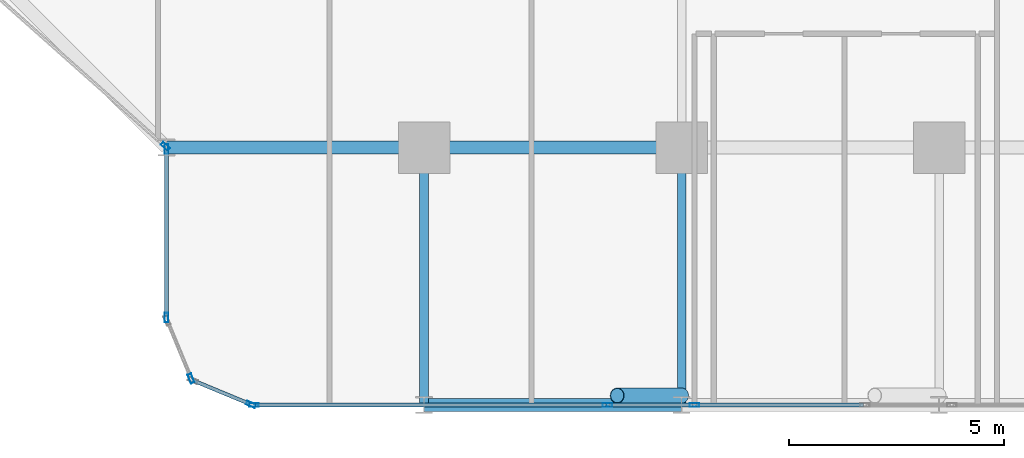
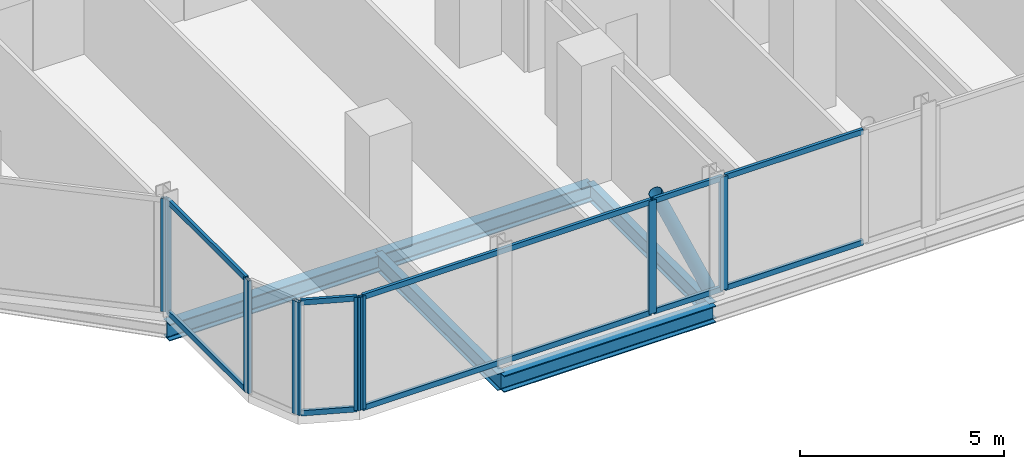
# One storey, part 4 of 33: 19 members, 5 beams, 7 elements without a shape of their own.
"""IFC4 building model written with IfcOpenShell, lengths in metres."""

from ifc_helpers import new_model, si_unit, direction, frame, origin, origin_2d, place, context, subcontext, project, spatial, hollow_rectangle, hollow_circle, i_section, extrude, material, layer, layer_set, material_profile, profile_set, type_object, element, aggregate, save


model = new_model("IFC4")

# Units and contexts
model_context = context("Model", 3, precision=1e-05, world=origin(), true_north=direction((0.0, 1.0)))
body_context = subcontext(model_context, "Body", "Model", "MODEL_VIEW")
ifc_project = project(units=[si_unit("LENGTHUNIT", "METRE"), si_unit("AREAUNIT", "SQUARE_METRE"), si_unit("VOLUMEUNIT", "CUBIC_METRE"), si_unit("PLANEANGLEUNIT", "RADIAN"), si_unit("MASSUNIT", "GRAM", prefix="KILO")], contexts=[model_context])

# Site, building, storey
site_placement = place(None, origin())
site = spatial("IfcSite", under=ifc_project, at=site_placement, CompositionType="ELEMENT")
building_placement = place(site_placement, origin())
building = spatial("IfcBuilding", under=site, at=building_placement, Name="Keshet Zoharim Tower", CompositionType="ELEMENT")
storey_placement = place(building_placement, frame((0.0, 0.0, 73.800048828125)))
storey = spatial("IfcBuildingStorey", under=building, at=storey_placement, Name="L17", CompositionType="ELEMENT", Elevation=73.800048828125)

# Beams
ifc_material_1 = material(Name="Steel S355", Category="steel")
ifc_material_profile_1 = material_profile(ifc_material_1, i_section(OverallWidth=0.199951171875, OverallDepth=0.5, WebThickness=0.01025390625, FlangeThickness=0.01611328125, FilletRadius=0.02099609375, at=origin_2d()), Name="IPE500")
ifc_profile_set_1 = profile_set([ifc_material_profile_1], Name="Steel S355")
beam_type_1 = type_object("IfcBeamType", Name="BM-PRI-IP500", PredefinedType="BEAM", material=ifc_profile_set_1)
for number, where, z_axis, x_axis, name in (
    (1, (27.0, 0.699951171875, -0.56494140625), (0.0, 1.0, 0.0), (-1.0, 0.0, 0.0), "L17 Primary Girder Y-004"),
    (2, (33.0, 0.699951171875, -0.56494140625), (0.0, 1.0, 0.0), (-1.0, 0.0, 0.0), "L17 Primary Girder Y-005"),
):
    element("IfcBeam", number, at=place(storey_placement, frame(where, z_axis=z_axis, x_axis=x_axis)), inside=storey, type_object=beam_type_1, Name=name, PredefinedType="BEAM", context=body_context, shape_type="SweptSolid", body=[
        extrude(i_section(OverallWidth=0.199951171875, OverallDepth=0.5, WebThickness=0.01025390625, FlangeThickness=0.01611328125, FilletRadius=0.02099609375, at=origin_2d()), origin(), (0.0, 0.0, 1.0), 6.0),
    ])
ifc_material_profile_2 = material_profile(ifc_material_1, i_section(OverallWidth=0.300048828125, OverallDepth=0.5, WebThickness=0.014404296875, FlangeThickness=0.028076171875, FilletRadius=0.027099609375, at=origin_2d()), Name="HEB500")
ifc_profile_set_2 = profile_set([ifc_material_profile_2], Name="Steel S355")
beam_type_2 = type_object("IfcBeamType", Name="BM-WEB-HB500", PredefinedType="BEAM", material=ifc_profile_set_2)
for number, where, z_axis, x_axis, name in (
    (3, (27.0, 0.699951171875, -0.56494140625), (1.0, 0.0, 0.0), (0.0, 1.0, 0.0), "L17 Primary Girder X-001"),
    (4, (21.0, 6.699951171875, -0.56494140625), (1.0, 0.0, 0.0), (0.0, 1.0, 0.0), "L17 Primary Girder X-006"),
    (5, (27.0, 6.699951171875, -0.56494140625), (1.0, 0.0, 0.0), (0.0, 1.0, 0.0), "L17 Primary Girder X-007"),
):
    element("IfcBeam", number, at=place(storey_placement, frame(where, z_axis=z_axis, x_axis=x_axis)), inside=storey, type_object=beam_type_2, Name=name, PredefinedType="BEAM", context=body_context, shape_type="SweptSolid", body=[
        extrude(i_section(OverallWidth=0.300048828125, OverallDepth=0.5, WebThickness=0.014404296875, FlangeThickness=0.028076171875, FilletRadius=0.027099609375, at=origin_2d()), origin(), (0.0, 0.0, 1.0), 6.0),
    ])

# Curtain wall, member
ifc_material_2 = material(Name="Aluminium 6063-T6", Category="aluminium")
ifc_layer = layer(ifc_material_2, 0.179931640625)
ifc_layer_set = layer_set([ifc_layer], Name="Aluminium 6063-T6")
curtain_wall_type = type_object("IfcCurtainWallType", Name="CW-SYS-01", PredefinedType="NOTDEFINED", material=ifc_layer_set)
curtain_wall_1_placement = place(storey_placement, origin())
curtain_wall_1 = element("IfcCurtainWall", 6, at=curtain_wall_1_placement, inside=storey, type_object=curtain_wall_type, Name="L17 Unitised Curtain Wall 01", PredefinedType="NOTDEFINED")
ifc_material_profile_3 = material_profile(ifc_material_2, hollow_rectangle(XDim=0.090087890625, YDim=0.219970703125, WallThickness=0.0048828125, at=origin_2d()), Name="MUL-90x220")
ifc_profile_set_3 = profile_set([ifc_material_profile_3], Name="Aluminium 6063-T6")
member_type_1 = type_object("IfcMemberType", Name="CWM-M22", PredefinedType="MULLION", material=ifc_profile_set_3)
member_1_placement = place(storey_placement, frame((20.973876953125, 6.72314453125, 0.0), z_axis=(0.0, 0.0, 1.0), x_axis=(-0.664363838836, -0.747409318679, 0.0)))
member_1 = element("IfcMember", 7, at=member_1_placement, type_object=member_type_1, Name="CW-01 mullion 1", PredefinedType="MULLION", context=body_context, shape_type="SweptSolid", body=[
    extrude(hollow_rectangle(XDim=0.090087890625, YDim=0.219970703125, WallThickness=0.0048828125, at=origin_2d()), origin(), (0.0, 0.0, 1.0), 3.385009765625),
])
aggregate(curtain_wall_1, [member_1])

curtain_wall_2_placement = place(storey_placement, origin())
curtain_wall_2 = element("IfcCurtainWall", 8, at=curtain_wall_2_placement, inside=storey, type_object=curtain_wall_type, Name="L17 Unitised Curtain Wall 26 Part 3", PredefinedType="NOTDEFINED")
member_2_placement = place(storey_placement, frame((33.297607421875, 0.699951171875, 0.0), z_axis=(0.0, 0.0, 1.0), x_axis=(0.0, -1.0, 0.0)))
member_2 = element("IfcMember", 9, at=member_2_placement, type_object=member_type_1, Name="CW-01 mullion 2", PredefinedType="MULLION", context=body_context, shape_type="SweptSolid", body=[
    extrude(hollow_rectangle(XDim=0.090087890625, YDim=0.219970703125, WallThickness=0.0048828125, at=origin_2d()), origin(), (0.0, 0.0, 1.0), 3.385009765625),
])

curtain_wall_3_placement = place(storey_placement, origin())
curtain_wall_3 = element("IfcCurtainWall", 10, at=curtain_wall_3_placement, inside=storey, type_object=curtain_wall_type, Name="L17 Unitised Curtain Wall 26 Part 4", PredefinedType="NOTDEFINED")
member_3_placement = place(storey_placement, frame((31.2724609375, 0.699951171875, 0.0), z_axis=(0.0, 0.0, 1.0), x_axis=(0.0, -1.0, 0.0)))
member_3 = element("IfcMember", 11, at=member_3_placement, type_object=member_type_1, Name="CW-01 mullion 2", PredefinedType="MULLION", context=body_context, shape_type="SweptSolid", body=[
    extrude(hollow_rectangle(XDim=0.090087890625, YDim=0.219970703125, WallThickness=0.0048828125, at=origin_2d()), origin(), (0.0, 0.0, 1.0), 3.385009765625),
])

curtain_wall_4_placement = place(storey_placement, origin())
curtain_wall_4 = element("IfcCurtainWall", 12, at=curtain_wall_4_placement, inside=storey, type_object=curtain_wall_type, Name="L17 Unitised Curtain Wall 26 Part 5", PredefinedType="NOTDEFINED")
member_4_placement = place(storey_placement, frame((23.034912109375, 0.699951171875, 0.0), z_axis=(0.0, 0.0, 1.0), x_axis=(0.0, -1.0, 0.0)))
member_4 = element("IfcMember", 13, at=member_4_placement, type_object=member_type_1, Name="CW-01 mullion 2", PredefinedType="MULLION", context=body_context, shape_type="SweptSolid", body=[
    extrude(hollow_rectangle(XDim=0.090087890625, YDim=0.219970703125, WallThickness=0.0048828125, at=origin_2d()), origin(), (0.0, 0.0, 1.0), 3.385009765625),
])

curtain_wall_5_placement = place(storey_placement, origin())
curtain_wall_5 = element("IfcCurtainWall", 14, at=curtain_wall_5_placement, inside=storey, type_object=curtain_wall_type, Name="L17 Unitised Curtain Wall 27", PredefinedType="NOTDEFINED")
member_5_placement = place(storey_placement, frame((22.9677734375, 0.71337890625, 0.0), z_axis=(0.0, 0.0, 1.0), x_axis=(-0.382851849847, -0.92380975372, 0.0)))
member_5 = element("IfcMember", 15, at=member_5_placement, type_object=member_type_1, Name="CW-01 mullion 1", PredefinedType="MULLION", context=body_context, shape_type="SweptSolid", body=[
    extrude(hollow_rectangle(XDim=0.090087890625, YDim=0.219970703125, WallThickness=0.0048828125, at=origin_2d()), origin(), (0.0, 0.0, 1.0), 3.385009765625),
])

curtain_wall_6_placement = place(storey_placement, origin())
curtain_wall_6 = element("IfcCurtainWall", 16, at=curtain_wall_6_placement, inside=storey, type_object=curtain_wall_type, Name="L17 Unitised Curtain Wall 28", PredefinedType="NOTDEFINED")
member_6_placement = place(storey_placement, frame((21.572509765625, 1.318359375, 0.0), z_axis=(0.0, 0.0, 1.0), x_axis=(-0.92380975372, -0.382851849847, 0.0)))
member_6 = element("IfcMember", 17, at=member_6_placement, type_object=member_type_1, Name="CW-01 mullion 1", PredefinedType="MULLION", context=body_context, shape_type="SweptSolid", body=[
    extrude(hollow_rectangle(XDim=0.090087890625, YDim=0.219970703125, WallThickness=0.0048828125, at=origin_2d()), origin(), (0.0, 0.0, 1.0), 3.385009765625),
])
aggregate(curtain_wall_6, [member_6])

# Curtain wall, members
curtain_wall_7_placement = place(storey_placement, origin())
curtain_wall_7 = element("IfcCurtainWall", 18, at=curtain_wall_7_placement, inside=storey, type_object=curtain_wall_type, Name="L17 Unitised Curtain Wall 29", PredefinedType="NOTDEFINED")
member_7_placement = place(storey_placement, frame((21.0, 2.735107421875, 0.0), z_axis=(0.0, 0.0, 1.0), x_axis=(-1.0, 0.0, 0.0)))
member_7 = element("IfcMember", 19, at=member_7_placement, type_object=member_type_1, Name="CW-01 mullion 1", PredefinedType="MULLION", context=body_context, shape_type="SweptSolid", body=[
    extrude(hollow_rectangle(XDim=0.090087890625, YDim=0.219970703125, WallThickness=0.0048828125, at=origin_2d()), origin(), (0.0, 0.0, 1.0), 3.385009765625),
])
member_8_placement = place(storey_placement, frame((21.0, 6.6650390625, 0.0), z_axis=(0.0, 0.0, 1.0), x_axis=(-1.0, 0.0, 0.0)))
member_8 = element("IfcMember", 20, at=member_8_placement, type_object=member_type_1, Name="CW-01 mullion 2", PredefinedType="MULLION", context=body_context, shape_type="SweptSolid", body=[
    extrude(hollow_rectangle(XDim=0.090087890625, YDim=0.219970703125, WallThickness=0.0048828125, at=origin_2d()), origin(), (0.0, 0.0, 1.0), 3.385009765625),
])

# Member
ifc_material_profile_4 = material_profile(ifc_material_2, hollow_rectangle(XDim=0.0849609375, YDim=0.159912109375, WallThickness=0.00439453125, at=origin_2d()), Name="TRN-85x160")
ifc_profile_set_4 = profile_set([ifc_material_profile_4], Name="Aluminium 6063-T6")
member_type_2 = type_object("IfcMemberType", Name="CWT-T16", PredefinedType="USERDEFINED", material=ifc_profile_set_4)
member_9_placement = place(storey_placement, frame((37.2373046875, 0.699951171875, 0.034912109375), z_axis=(-1.0, 0.0, 0.0), x_axis=(0.0, -1.0, 0.0)))
member_9 = element("IfcMember", 21, at=member_9_placement, type_object=member_type_2, Name="CW-01 transom 1.1", ObjectType="TRANSOM", PredefinedType="USERDEFINED", context=body_context, shape_type="SweptSolid", body=[
    extrude(hollow_rectangle(XDim=0.0849609375, YDim=0.159912109375, WallThickness=0.00439453125, at=origin_2d()), origin(), (0.0, 0.0, 1.0), 3.90478515625),
])

member_10_placement = place(storey_placement, frame((37.2373046875, 0.699951171875, 3.349853515625), z_axis=(-1.0, 0.0, 0.0), x_axis=(0.0, -1.0, 0.0)))
member_10 = element("IfcMember", 22, at=member_10_placement, type_object=member_type_2, Name="CW-01 transom 1.2", ObjectType="TRANSOM", PredefinedType="USERDEFINED", context=body_context, shape_type="SweptSolid", body=[
    extrude(hollow_rectangle(XDim=0.0849609375, YDim=0.159912109375, WallThickness=0.00439453125, at=origin_2d()), origin(), (0.0, 0.0, 1.0), 3.90478515625),
])

aggregate(curtain_wall_2, [member_2, member_9, member_10])

member_11_placement = place(storey_placement, frame((33.2626953125, 0.699951171875, 0.034912109375), z_axis=(-1.0, 0.0, 0.0), x_axis=(0.0, -1.0, 0.0)))
member_11 = element("IfcMember", 23, at=member_11_placement, type_object=member_type_2, Name="CW-01 transom 1.1", ObjectType="TRANSOM", PredefinedType="USERDEFINED", context=body_context, shape_type="SweptSolid", body=[
    extrude(hollow_rectangle(XDim=0.0849609375, YDim=0.159912109375, WallThickness=0.00439453125, at=origin_2d()), origin(), (0.0, 0.0, 1.0), 1.955322265625),
])

member_12_placement = place(storey_placement, frame((33.2626953125, 0.699951171875, 3.349853515625), z_axis=(-1.0, 0.0, 0.0), x_axis=(0.0, -1.0, 0.0)))
member_12 = element("IfcMember", 24, at=member_12_placement, type_object=member_type_2, Name="CW-01 transom 1.2", ObjectType="TRANSOM", PredefinedType="USERDEFINED", context=body_context, shape_type="SweptSolid", body=[
    extrude(hollow_rectangle(XDim=0.0849609375, YDim=0.159912109375, WallThickness=0.00439453125, at=origin_2d()), origin(), (0.0, 0.0, 1.0), 1.955322265625),
])

aggregate(curtain_wall_3, [member_3, member_11, member_12])

member_13_placement = place(storey_placement, frame((31.2373046875, 0.699951171875, 0.034912109375), z_axis=(-1.0, 0.0, 0.0), x_axis=(0.0, -1.0, 0.0)))
member_13 = element("IfcMember", 25, at=member_13_placement, type_object=member_type_2, Name="CW-01 transom 1.1", ObjectType="TRANSOM", PredefinedType="USERDEFINED", context=body_context, shape_type="SweptSolid", body=[
    extrude(hollow_rectangle(XDim=0.0849609375, YDim=0.159912109375, WallThickness=0.00439453125, at=origin_2d()), origin(), (0.0, 0.0, 1.0), 8.167236328125),
])

member_14_placement = place(storey_placement, frame((31.2373046875, 0.699951171875, 3.349853515625), z_axis=(-1.0, 0.0, 0.0), x_axis=(0.0, -1.0, 0.0)))
member_14 = element("IfcMember", 26, at=member_14_placement, type_object=member_type_2, Name="CW-01 transom 1.2", ObjectType="TRANSOM", PredefinedType="USERDEFINED", context=body_context, shape_type="SweptSolid", body=[
    extrude(hollow_rectangle(XDim=0.0849609375, YDim=0.159912109375, WallThickness=0.00439453125, at=origin_2d()), origin(), (0.0, 0.0, 1.0), 8.167236328125),
])

aggregate(curtain_wall_4, [member_4, member_13, member_14])

member_15_placement = place(storey_placement, frame((22.935302734375, 0.726806640625, 0.034912109375), z_axis=(-0.92379209995, 0.382894445076, 0.0), x_axis=(-0.382894445076, -0.92379209995, 0.0)))
member_15 = element("IfcMember", 27, at=member_15_placement, type_object=member_type_2, Name="CW-01 transom 1.1", ObjectType="TRANSOM", PredefinedType="USERDEFINED", context=body_context, shape_type="SweptSolid", body=[
    extrude(hollow_rectangle(XDim=0.0849609375, YDim=0.159912109375, WallThickness=0.00439453125, at=origin_2d()), origin(), (0.0, 0.0, 1.0), 1.390625),
])

member_16_placement = place(storey_placement, frame((22.935302734375, 0.726806640625, 3.349853515625), z_axis=(-0.92379209995, 0.382894445076, 0.0), x_axis=(-0.382894445076, -0.92379209995, 0.0)))
member_16 = element("IfcMember", 28, at=member_16_placement, type_object=member_type_2, Name="CW-01 transom 1.2", ObjectType="TRANSOM", PredefinedType="USERDEFINED", context=body_context, shape_type="SweptSolid", body=[
    extrude(hollow_rectangle(XDim=0.0849609375, YDim=0.159912109375, WallThickness=0.00439453125, at=origin_2d()), origin(), (0.0, 0.0, 1.0), 1.390625),
])

aggregate(curtain_wall_5, [member_5, member_15, member_16])

member_17_placement = place(storey_placement, frame((21.0, 2.77001953125, 0.034912109375), z_axis=(0.0, 1.0, 0.0), x_axis=(-1.0, 0.0, 0.0)))
member_17 = element("IfcMember", 29, at=member_17_placement, type_object=member_type_2, Name="CW-01 transom 1.1", ObjectType="TRANSOM", PredefinedType="USERDEFINED", context=body_context, shape_type="SweptSolid", body=[
    extrude(hollow_rectangle(XDim=0.0849609375, YDim=0.159912109375, WallThickness=0.00439453125, at=origin_2d()), origin(), (0.0, 0.0, 1.0), 3.85986328125),
])

member_18_placement = place(storey_placement, frame((21.0, 2.77001953125, 3.349853515625), z_axis=(0.0, 1.0, 0.0), x_axis=(-1.0, 0.0, 0.0)))
member_18 = element("IfcMember", 30, at=member_18_placement, type_object=member_type_2, Name="CW-01 transom 1.2", ObjectType="TRANSOM", PredefinedType="USERDEFINED", context=body_context, shape_type="SweptSolid", body=[
    extrude(hollow_rectangle(XDim=0.0849609375, YDim=0.159912109375, WallThickness=0.00439453125, at=origin_2d()), origin(), (0.0, 0.0, 1.0), 3.85986328125),
])

aggregate(curtain_wall_7, [member_7, member_8, member_17, member_18])

ifc_material_profile_5 = material_profile(ifc_material_1, hollow_circle(Radius=0.177734375, WallThickness=0.012451171875, at=origin_2d()), Name="CHS355x12.5")
ifc_profile_set_5 = profile_set([ifc_material_profile_5], Name="Steel S355")
member_type_3 = type_object("IfcMemberType", Name="MB-BR-C355", PredefinedType="BRACE", material=ifc_profile_set_5)
member_19_placement = place(storey_placement, frame((33.0, 0.919921875, 0.0), z_axis=(-0.405134846829, 0.0, 0.91425694194), x_axis=(0.0, -1.0, 0.0)))
element("IfcMember", 31, at=member_19_placement, inside=storey, type_object=member_type_3, Name="L17 Perimeter Tube Brace 02", PredefinedType="BRACE", context=body_context, shape_type="SweptSolid", body=[
    extrude(hollow_circle(Radius=0.177734375, WallThickness=0.012451171875, at=origin_2d()), origin(), (0.0, 0.0, 1.0), 3.702392578125),
])

save(model, "model.ifc")
